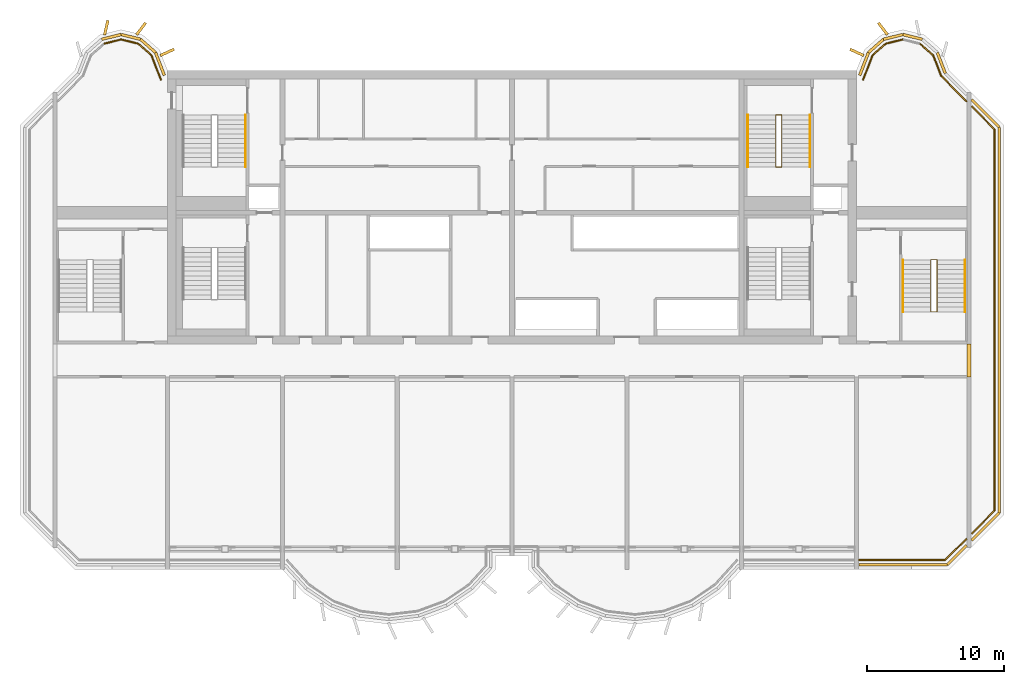
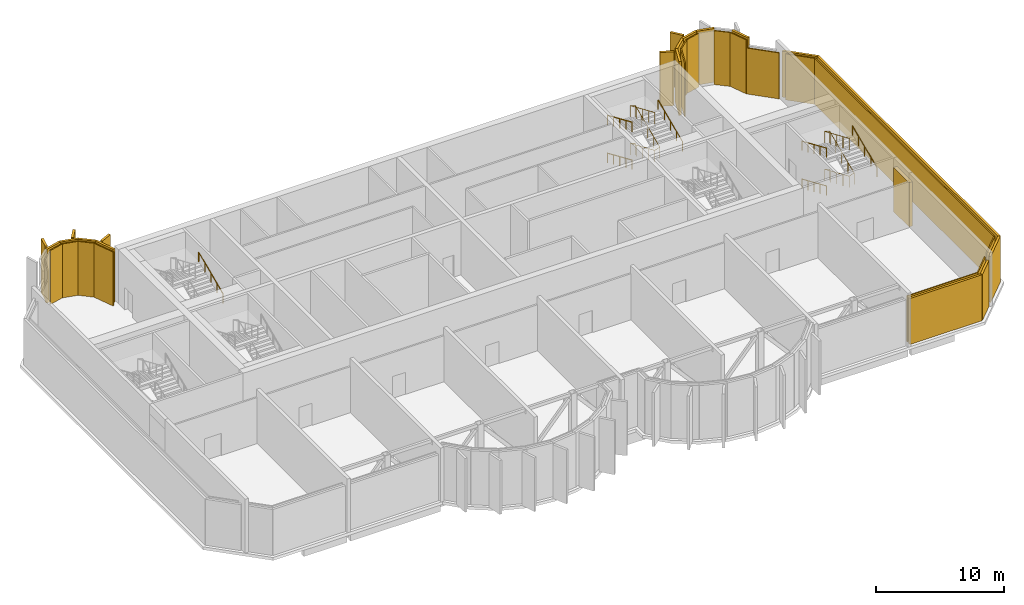
# One storey, part 10 of 11: 20 coverings, 15 shading devices, 9 railings.
"""IFC4 building model written with IfcOpenShell, lengths in metres."""

from ifc_helpers import new_model, si_unit, direction, frame, origin, origin_2d, place, context, subcontext, project, spatial, rectangle, circle, extrude, source, transform, mapped, material, layer, layer_set, material_profile, profile_set, type_object, element, save


model = new_model("IFC4")

# Units and contexts
model_context = context("Model", 3, precision=1e-05, world=origin(), true_north=direction((0.0, 1.0)))
body_context = subcontext(model_context, "Body", "Model", "MODEL_VIEW")
ifc_project = project(units=[si_unit("LENGTHUNIT", "METRE"), si_unit("AREAUNIT", "SQUARE_METRE"), si_unit("VOLUMEUNIT", "CUBIC_METRE"), si_unit("PLANEANGLEUNIT", "RADIAN"), si_unit("MASSUNIT", "GRAM", prefix="KILO")], contexts=[model_context])

# Site, building, storey
site_placement = place(None, origin())
site = spatial("IfcSite", under=ifc_project, at=site_placement, CompositionType="ELEMENT")
building_placement = place(site_placement, origin())
building = spatial("IfcBuilding", under=site, at=building_placement, Name="Vanashikhar Sky Hotel", CompositionType="ELEMENT")
storey_placement = place(building_placement, frame((0.0, 0.0, 264.699951171875)))
storey = spatial("IfcBuildingStorey", under=building, at=storey_placement, Name="L64", CompositionType="ELEMENT", Elevation=264.699951171875)

# Shading devices
ifc_material_1 = material(Name="Aluminium", Category="aluminium")
ifc_layer_1 = layer(ifc_material_1, 0.199951171875)
ifc_layer_set_1 = layer_set([ifc_layer_1], Name="Aluminium louvre band")
shading_device_type = type_object("IfcShadingDeviceType", Name="Aluminium louvre band", PredefinedType="USERDEFINED", material=ifc_layer_set_1)
shared_shape_1 = source(origin(), body_context, "Body", "SweptSolid", [
    extrude(rectangle(XDim=1.7900390625, YDim=0.199951171875, at=origin_2d()), origin(), (0.0, 0.0, 1.0), 5.1201171875),
])
for number, where, z_axis, x_axis, name in (
    (1, (76.160888671875, 42.485595703125, 0.0), (0.0, 0.0, 1.0), (-0.35776499493, -0.933811655744, 0.0), "Louvre band"),
    (2, (24.63916015625, 42.485595703125, 0.0), (0.0, 0.0, 1.0), (-0.35776499493, 0.933811655744, 0.0), "Louvre band"),
):
    element("IfcShadingDevice", number, at=place(storey_placement, frame(where, z_axis=z_axis, x_axis=x_axis)), inside=storey, type_object=shading_device_type, Name=name, ObjectType="LOUVRE", PredefinedType="USERDEFINED", context=body_context, shape_type="MappedRepresentation", body=[
        mapped(shared_shape_1, transform((0.0, 0.0, 0.0), scale=1.0)),
    ])
shared_shape_2 = source(origin(), body_context, "Body", "SweptSolid", [
    extrude(rectangle(XDim=1.464599609375, YDim=0.199951171875, at=origin_2d()), origin(), (0.0, 0.0, 1.0), 5.1201171875),
])
for number, where, z_axis, x_axis, name in (
    (3, (77.030029296875, 43.805908203125, 0.0), (0.0, 0.0, 1.0), (-0.749741606437, -0.661730703214, 0.0), "Louvre band"),
    (4, (23.77001953125, 43.805908203125, 0.0), (0.0, 0.0, 1.0), (-0.749741606437, 0.661730703214, 0.0), "Louvre band"),
):
    element("IfcShadingDevice", number, at=place(storey_placement, frame(where, z_axis=z_axis, x_axis=x_axis)), inside=storey, type_object=shading_device_type, Name=name, ObjectType="LOUVRE", PredefinedType="USERDEFINED", context=body_context, shape_type="MappedRepresentation", body=[
        mapped(shared_shape_2, transform((0.0, 0.0, 0.0), scale=1.0)),
    ])
shared_shape_3 = source(origin(), body_context, "Body", "SweptSolid", [
    extrude(rectangle(XDim=1.463134765625, YDim=0.199951171875, at=origin_2d()), origin(), (0.0, 0.0, 1.0), 5.1201171875),
])
for number, where, z_axis, x_axis, name in (
    (5, (79.71044921875, 44.465087890625, 0.0), (0.0, 0.0, 1.0), (-0.97113427991, 0.238533457579, 0.0), "Louvre band"),
    (6, (78.28955078125, 44.465087890625, 0.0), (0.0, 0.0, 1.0), (-0.97113427991, -0.238533457579, 0.0), "Louvre band"),
    (7, (22.510498046875, 44.465087890625, 0.0), (0.0, 0.0, 1.0), (-0.97113427991, 0.238533457579, 0.0), "Louvre band"),
    (8, (21.089599609375, 44.465087890625, 0.0), (0.0, 0.0, 1.0), (-0.97113427991, -0.238533457579, 0.0), "Louvre band"),
):
    element("IfcShadingDevice", number, at=place(storey_placement, frame(where, z_axis=z_axis, x_axis=x_axis)), inside=storey, type_object=shading_device_type, Name=name, ObjectType="LOUVRE", PredefinedType="USERDEFINED", context=body_context, shape_type="MappedRepresentation", body=[
        mapped(shared_shape_3, transform((0.0, 0.0, 0.0), scale=1.0)),
    ])

# Coverings
ifc_material_2 = material(Name="Concrete M40", Category="concrete")
ifc_layer_2 = layer(ifc_material_2, 0.10009765625)
ifc_layer_set_2 = layer_set([ifc_layer_2], Name="Plant floor cladding panel")
covering_type_1 = type_object("IfcCoveringType", Name="Plant floor cladding panel", PredefinedType="CLADDING", material=ifc_layer_set_2)
shared_shape_4 = source(origin(), body_context, "Body", "SweptSolid", [
    extrude(rectangle(XDim=1.944580078125, YDim=0.10009765625, at=origin_2d()), origin(), (0.0, 0.0, 1.0), 5.1201171875),
])
for number, where, z_axis, x_axis, name in (
    (9, (76.42919921875, 42.2080078125, 0.0), (0.0, 0.0, 1.0), (-0.357781292963, -0.933805411425, 0.0), "Plant floor cladding panel"),
    (10, (24.37060546875, 42.2080078125, 0.0), (0.0, 0.0, 1.0), (-0.357781292963, 0.933805411425, 0.0), "Plant floor cladding panel"),
):
    element("IfcCovering", number, at=place(storey_placement, frame(where, z_axis=z_axis, x_axis=x_axis)), inside=storey, type_object=covering_type_1, Name=name, PredefinedType="CLADDING", context=body_context, shape_type="MappedRepresentation", body=[
        mapped(shared_shape_4, transform((0.0, 0.0, 0.0), scale=1.0)),
    ])
shared_shape_5 = source(origin(), body_context, "Body", "SweptSolid", [
    extrude(rectangle(XDim=1.29248046875, YDim=0.10009765625, at=origin_2d()), origin(), (0.0, 0.0, 1.0), 5.1201171875),
])
for number, where, z_axis, x_axis, name in (
    (11, (80.73828125, 43.543701171875, 0.0), (0.0, 0.0, 1.0), (-0.749683856685, 0.661796127993, 0.0), "Plant floor cladding panel"),
    (12, (77.26171875, 43.543701171875, 0.0), (0.0, 0.0, 1.0), (-0.749683856685, -0.661796127993, 0.0), "Plant floor cladding panel"),
    (13, (23.538330078125, 43.543701171875, 0.0), (0.0, 0.0, 1.0), (-0.749683856685, 0.661796127993, 0.0), "Plant floor cladding panel"),
):
    element("IfcCovering", number, at=place(storey_placement, frame(where, z_axis=z_axis, x_axis=x_axis)), inside=storey, type_object=covering_type_1, Name=name, PredefinedType="CLADDING", context=body_context, shape_type="MappedRepresentation", body=[
        mapped(shared_shape_5, transform((0.0, 0.0, 0.0), scale=1.0)),
    ])
shared_shape_6 = source(origin(), body_context, "Body", "SweptSolid", [
    extrude(rectangle(XDim=1.291015625, YDim=0.10009765625, at=origin_2d()), origin(), (0.0, 0.0, 1.0), 5.1201171875),
])
for number, where, z_axis, x_axis, name in (
    (14, (78.373046875, 44.125244140625, 0.0), (0.0, 0.0, 1.0), (-0.97115093032, -0.238465659035, 0.0), "Plant floor cladding panel"),
    (15, (22.427001953125, 44.125244140625, 0.0), (0.0, 0.0, 1.0), (-0.97115093032, 0.238465659035, 0.0), "Plant floor cladding panel"),
    (16, (21.173095703125, 44.125244140625, 0.0), (0.0, 0.0, 1.0), (-0.97115093032, -0.238465659035, 0.0), "Plant floor cladding panel"),
):
    element("IfcCovering", number, at=place(storey_placement, frame(where, z_axis=z_axis, x_axis=x_axis)), inside=storey, type_object=covering_type_1, Name=name, PredefinedType="CLADDING", context=body_context, shape_type="MappedRepresentation", body=[
        mapped(shared_shape_6, transform((0.0, 0.0, 0.0), scale=1.0)),
    ])
ifc_material_3 = material(Name="Concrete M60 dark", Category="concrete")
ifc_material_profile = material_profile(ifc_material_3, rectangle(XDim=1.10009765625, YDim=0.199951171875, at=origin_2d()))
ifc_profile_set = profile_set([ifc_material_profile], Name="Rear lobe fin 1100 x 200")
covering_type_2 = type_object("IfcCoveringType", Name="Rear lobe fin 1100 x 200", PredefinedType="CLADDING", material=ifc_profile_set)
shared_shape_7 = source(origin(), body_context, "Body", "SweptSolid", [
    extrude(rectangle(XDim=1.10009765625, YDim=0.199951171875, at=origin_2d()), origin(), (0.0, 0.0, 1.0), 5.1201171875),
])
for number, where, z_axis, x_axis, name in (
    (17, (20.710205078125, 45.1455078125, 0.0), (0.0, 0.0, 1.0), (0.224644935864, 0.974440687159, 0.0), "Fin R1-2"),
    (18, (23.261962890625, 45.06640625, 0.0), (0.0, 0.0, 1.0), (0.602065892195, 0.798446404874, 0.0), "Fin R1-3"),
    (19, (25.169677734375, 43.33447265625, 0.0), (0.0, 0.0, 1.0), (0.908004291068, 0.418960866193, 0.0), "Fin R1-4"),
    (20, (75.63037109375, 43.33447265625, 0.0), (0.0, 0.0, 1.0), (-0.908004291068, 0.418960866193, 0.0), "Fin R2-1"),
    (21, (77.5380859375, 45.06640625, 0.0), (0.0, 0.0, 1.0), (-0.602065892195, 0.798446404874, 0.0), "Fin R2-2"),
):
    element("IfcCovering", number, at=place(storey_placement, frame(where, z_axis=z_axis, x_axis=x_axis)), inside=storey, type_object=covering_type_2, Name=name, PredefinedType="CLADDING", context=body_context, shape_type="MappedRepresentation", body=[
        mapped(shared_shape_7, transform((0.0, 0.0, 0.0), scale=1.0)),
    ])

# Shading devices
shared_shape_8 = source(origin(), body_context, "Body", "SweptSolid", [
    extrude(rectangle(XDim=0.300048828125, YDim=2.39990234375, at=origin_2d()), origin(), (0.0, 0.0, 1.0), 4.219970703125),
])
shading_device_1_placement = place(storey_placement, frame((83.85009765625, 20.800048828125, 0.0), z_axis=(0.0, 0.0, 1.0), x_axis=(1.0, 0.0, 0.0)))
element("IfcShadingDevice", 22, at=shading_device_1_placement, inside=storey, type_object=shading_device_type, Name="Louvre band", ObjectType="LOUVRE", PredefinedType="USERDEFINED", context=body_context, shape_type="MappedRepresentation", body=[
    mapped(shared_shape_8, transform((0.0, 0.0, 0.0), scale=1.0)),
])
shared_shape_9 = source(origin(), body_context, "Body", "SweptSolid", [
    extrude(rectangle(XDim=6.47509765625, YDim=0.199951171875, at=origin_2d()), origin(), (0.0, 0.0, 1.0), 4.3701171875),
])
shading_device_2_placement = place(storey_placement, frame((79.017578125, 5.85009765625, 0.0), z_axis=(0.0, 0.0, 1.0), x_axis=(1.0, 0.0, 0.0)))
element("IfcShadingDevice", 23, at=shading_device_2_placement, inside=storey, type_object=shading_device_type, Name="Louvre band", ObjectType="LOUVRE", PredefinedType="USERDEFINED", context=body_context, shape_type="MappedRepresentation", body=[
    mapped(shared_shape_9, transform((0.0, 0.0, 0.0), scale=1.0)),
])
shared_shape_10 = source(origin(), body_context, "Body", "SweptSolid", [
    extrude(rectangle(XDim=2.001220703125, YDim=0.199951171875, at=origin_2d()), origin(), (0.0, 0.0, 1.0), 4.3701171875),
])
shading_device_3_placement = place(storey_placement, frame((82.96240234375, 6.5576171875, 0.0), z_axis=(0.0, 0.0, 1.0), x_axis=(0.707106781187, 0.707106781187, 0.0)))
element("IfcShadingDevice", 24, at=shading_device_3_placement, inside=storey, type_object=shading_device_type, Name="Louvre band", ObjectType="LOUVRE", PredefinedType="USERDEFINED", context=body_context, shape_type="MappedRepresentation", body=[
    mapped(shared_shape_10, transform((0.0, 0.0, 0.0), scale=1.0)),
])
shared_shape_11 = source(origin(), body_context, "Body", "SweptSolid", [
    extrude(rectangle(XDim=2.856689453125, YDim=0.199951171875, at=origin_2d()), origin(), (0.0, 0.0, 1.0), 4.3701171875),
])
for number, where, z_axis, x_axis, name in (
    (25, (85.0400390625, 8.635009765625, 0.0), (0.0, 0.0, 1.0), (0.707106781187, 0.707106781187, 0.0), "Louvre band"),
    (26, (85.0400390625, 38.864990234375, 0.0), (0.0, 0.0, 1.0), (-0.707106781187, 0.707106781187, 0.0), "Louvre band"),
):
    element("IfcShadingDevice", number, at=place(storey_placement, frame(where, z_axis=z_axis, x_axis=x_axis)), inside=storey, type_object=shading_device_type, Name=name, ObjectType="LOUVRE", PredefinedType="USERDEFINED", context=body_context, shape_type="MappedRepresentation", body=[
        mapped(shared_shape_11, transform((0.0, 0.0, 0.0), scale=1.0)),
    ])
shared_shape_12 = source(origin(), body_context, "Body", "SweptSolid", [
    extrude(rectangle(XDim=28.2099609375, YDim=0.199951171875, at=origin_2d()), origin(), (0.0, 0.0, 1.0), 4.3701171875),
])
shading_device_4_placement = place(storey_placement, frame((86.050048828125, 23.75, 0.0), z_axis=(0.0, 0.0, 1.0), x_axis=(0.0, 1.0, 0.0)))
element("IfcShadingDevice", 27, at=shading_device_4_placement, inside=storey, type_object=shading_device_type, Name="Louvre band", ObjectType="LOUVRE", PredefinedType="USERDEFINED", context=body_context, shape_type="MappedRepresentation", body=[
    mapped(shared_shape_12, transform((0.0, 0.0, 0.0), scale=1.0)),
])
shared_shape_13 = source(origin(), body_context, "Body", "SweptSolid", [
    extrude(rectangle(XDim=1.623779296875, YDim=0.199951171875, at=origin_2d()), origin(), (0.0, 0.0, 1.0), 5.1201171875),
])
shading_device_5_placement = place(storey_placement, frame((81.809326171875, 42.563232421875, 0.0), z_axis=(0.0, 0.0, 1.0), x_axis=(-0.357748696787, 0.933817899779, 0.0)))
element("IfcShadingDevice", 28, at=shading_device_5_placement, inside=storey, type_object=shading_device_type, Name="Louvre band", ObjectType="LOUVRE", PredefinedType="USERDEFINED", context=body_context, shape_type="MappedRepresentation", body=[
    mapped(shared_shape_13, transform((0.0, 0.0, 0.0), scale=1.0)),
])

# Coverings
shared_shape_14 = source(origin(), body_context, "Body", "SweptSolid", [
    extrude(rectangle(XDim=6.330078125, YDim=0.10009765625, at=origin_2d()), origin(), (0.0, 0.0, 1.0), 4.3701171875),
])
covering_1_placement = place(storey_placement, frame((78.945068359375, 6.199951171875, 0.0), z_axis=(0.0, 0.0, 1.0), x_axis=(1.0, 0.0, 0.0)))
element("IfcCovering", 29, at=covering_1_placement, inside=storey, type_object=covering_type_1, Name="Plant floor cladding panel", PredefinedType="CLADDING", context=body_context, shape_type="MappedRepresentation", body=[
    mapped(shared_shape_14, transform((0.0, 0.0, 0.0), scale=1.0)),
])
shared_shape_15 = source(origin(), body_context, "Body", "SweptSolid", [
    extrude(rectangle(XDim=2.2060546875, YDim=0.10009765625, at=origin_2d()), origin(), (0.0, 0.0, 1.0), 4.3701171875),
])
covering_2_placement = place(storey_placement, frame((82.89013671875, 6.97998046875, 0.0), z_axis=(0.0, 0.0, 1.0), x_axis=(0.707106781187, 0.707106781187, 0.0)))
element("IfcCovering", 30, at=covering_2_placement, inside=storey, type_object=covering_type_1, Name="Plant floor cladding panel", PredefinedType="CLADDING", context=body_context, shape_type="MappedRepresentation", body=[
    mapped(shared_shape_15, transform((0.0, 0.0, 0.0), scale=1.0)),
])
shared_shape_16 = source(origin(), body_context, "Body", "SweptSolid", [
    extrude(rectangle(XDim=2.36181640625, YDim=0.10009765625, at=origin_2d()), origin(), (0.0, 0.0, 1.0), 4.3701171875),
])
for number, where, z_axis, x_axis, name in (
    (31, (84.864990234375, 8.954833984375, 0.0), (0.0, 0.0, 1.0), (0.707106781187, 0.707106781187, 0.0), "Plant floor cladding panel"),
    (32, (84.864990234375, 38.545166015625, 0.0), (0.0, 0.0, 1.0), (-0.70711912242, 0.707094439737, 0.0), "Plant floor cladding panel"),
):
    element("IfcCovering", number, at=place(storey_placement, frame(where, z_axis=z_axis, x_axis=x_axis)), inside=storey, type_object=covering_type_1, Name=name, PredefinedType="CLADDING", context=body_context, shape_type="MappedRepresentation", body=[
        mapped(shared_shape_16, transform((0.0, 0.0, 0.0), scale=1.0)),
    ])
shared_shape_17 = source(origin(), body_context, "Body", "SweptSolid", [
    extrude(rectangle(XDim=27.920166015625, YDim=0.10009765625, at=origin_2d()), origin(), (0.0, 0.0, 1.0), 4.3701171875),
])
covering_3_placement = place(storey_placement, frame((85.699951171875, 23.75, 0.0), z_axis=(0.0, 0.0, 1.0), x_axis=(0.0, 1.0, 0.0)))
element("IfcCovering", 33, at=covering_3_placement, inside=storey, type_object=covering_type_1, Name="Plant floor cladding panel", PredefinedType="CLADDING", context=body_context, shape_type="MappedRepresentation", body=[
    mapped(shared_shape_17, transform((0.0, 0.0, 0.0), scale=1.0)),
])
shared_shape_18 = source(origin(), body_context, "Body", "SweptSolid", [
    extrude(rectangle(XDim=2.64501953125, YDim=0.10009765625, at=origin_2d()), origin(), (0.0, 0.0, 1.0), 4.3701171875),
])
covering_4_placement = place(storey_placement, frame((82.73486328125, 40.67529296875, 0.0), z_axis=(0.0, 0.0, 1.0), x_axis=(-0.70711912242, 0.707094439737, 0.0)))
element("IfcCovering", 34, at=covering_4_placement, inside=storey, type_object=covering_type_1, Name="Plant floor cladding panel", PredefinedType="CLADDING", context=body_context, shape_type="MappedRepresentation", body=[
    mapped(shared_shape_18, transform((0.0, 0.0, 0.0), scale=1.0)),
])
shared_shape_19 = source(origin(), body_context, "Body", "SweptSolid", [
    extrude(rectangle(XDim=1.6123046875, YDim=0.10009765625, at=origin_2d()), origin(), (0.0, 0.0, 1.0), 5.1201171875),
])
covering_5_placement = place(storey_placement, frame((81.51123046875, 42.36328125, 0.0), z_axis=(0.0, 0.0, 1.0), x_axis=(-0.357748696787, 0.933817899779, 0.0)))
element("IfcCovering", 35, at=covering_5_placement, inside=storey, type_object=covering_type_1, Name="Plant floor cladding panel", PredefinedType="CLADDING", context=body_context, shape_type="MappedRepresentation", body=[
    mapped(shared_shape_19, transform((0.0, 0.0, 0.0), scale=1.0)),
])

# Railings
ifc_material_4 = material(Name="Steel S355", Category="steel")
railing_type_1 = type_object("IfcRailingType", Name="Stair handrail 900", PredefinedType="HANDRAIL", material=ifc_material_4)
shared_shape_20 = source(origin(), body_context, "Body", "SweptSolid", [
    extrude(circle(Radius=0.02392578125, at=origin_2d()), frame((0.0, 0.0, 0.8759765625), z_axis=(0.0, -0.917250781605, 0.398310185215), x_axis=(1.0, 0.0, 0.0)), (0.0, 0.0, 1.0), 4.142822265625),
    extrude(circle(Radius=0.02099609375, at=origin_2d()), origin(), (0.0, 0.0, 1.0), 0.851806640625),
    extrude(circle(Radius=0.02099609375, at=origin_2d()), frame((0.0, -0.949951171875, 0.41259765625)), (0.0, 0.0, 1.0), 0.851806640625),
    extrude(circle(Radius=0.02099609375, at=origin_2d()), frame((0.0, -1.89990234375, 0.8251953125)), (0.0, 0.0, 1.0), 0.851806640625),
    extrude(circle(Radius=0.02099609375, at=origin_2d()), frame((0.0, -2.85009765625, 1.237548828125)), (0.0, 0.0, 1.0), 0.851806640625),
    extrude(circle(Radius=0.02099609375, at=origin_2d()), frame((0.0, -3.800048828125, 1.650146484375)), (0.0, 0.0, 1.0), 0.851806640625),
])
railing_1_placement = place(storey_placement, frame((67.64990234375, 38.75, 3.75)))
element("IfcRailing", 36, at=railing_1_placement, inside=storey, type_object=railing_type_1, Name="Exit stair 6 handrail", PredefinedType="HANDRAIL", context=body_context, shape_type="MappedRepresentation", body=[
    mapped(shared_shape_20, transform((0.0, 0.0, 0.0), scale=1.0)),
])
shared_shape_21 = source(origin(), body_context, "Body", "SweptSolid", [
    extrude(circle(Radius=0.02392578125, at=origin_2d()), frame((0.0, 0.0, 0.8759765625), z_axis=(0.0, 0.917250781605, 0.398310185215), x_axis=(-1.0, 0.0, 0.0)), (0.0, 0.0, 1.0), 4.142822265625),
    extrude(circle(Radius=0.02099609375, at=origin_2d()), origin(), (0.0, 0.0, 1.0), 0.851806640625),
    extrude(circle(Radius=0.02099609375, at=origin_2d()), frame((0.0, 0.949951171875, 0.41259765625)), (0.0, 0.0, 1.0), 0.851806640625),
    extrude(circle(Radius=0.02099609375, at=origin_2d()), frame((0.0, 1.89990234375, 0.8251953125)), (0.0, 0.0, 1.0), 0.851806640625),
    extrude(circle(Radius=0.02099609375, at=origin_2d()), frame((0.0, 2.85009765625, 1.237548828125)), (0.0, 0.0, 1.0), 0.851806640625),
    extrude(circle(Radius=0.02099609375, at=origin_2d()), frame((0.0, 3.800048828125, 1.650146484375)), (0.0, 0.0, 1.0), 0.851806640625),
])
for number, where, name in (
    (37, (30.89990234375, 34.949951171875, 1.949951171875), "Exit stair 5 handrail"),
    (38, (72.199951171875, 34.949951171875, 1.949951171875), "Exit stair 6 handrail"),
):
    element("IfcRailing", number, at=place(storey_placement, frame(where)), inside=storey, type_object=railing_type_1, Name=name, PredefinedType="HANDRAIL", context=body_context, shape_type="MappedRepresentation", body=[
        mapped(shared_shape_21, transform((0.0, 0.0, 0.0), scale=1.0)),
    ])
shared_shape_22 = source(origin(), body_context, "Body", "SweptSolid", [
    extrude(circle(Radius=0.02392578125, at=origin_2d()), frame((0.0, 0.0, 0.8759765625), z_axis=(0.0, -0.91727231099, 0.398260602484), x_axis=(1.0, 0.0, 0.0)), (0.0, 0.0, 1.0), 4.142822265625),
    extrude(circle(Radius=0.02099609375, at=origin_2d()), origin(), (0.0, 0.0, 1.0), 0.851806640625),
    extrude(circle(Radius=0.02099609375, at=origin_2d()), frame((0.0, -0.949951171875, 0.41259765625)), (0.0, 0.0, 1.0), 0.851806640625),
    extrude(circle(Radius=0.02099609375, at=origin_2d()), frame((0.0, -1.89990234375, 0.824951171875)), (0.0, 0.0, 1.0), 0.851806640625),
    extrude(circle(Radius=0.02099609375, at=origin_2d()), frame((0.0, -2.85009765625, 1.2373046875)), (0.0, 0.0, 1.0), 0.851806640625),
    extrude(circle(Radius=0.02099609375, at=origin_2d()), frame((0.0, -3.800048828125, 1.64990234375)), (0.0, 0.0, 1.0), 0.851806640625),
])
railing_2_placement = place(storey_placement, frame((67.64990234375, 38.75, 0.150146484375)))
element("IfcRailing", 39, at=railing_2_placement, inside=storey, type_object=railing_type_1, Name="Exit stair 6 handrail", PredefinedType="HANDRAIL", context=body_context, shape_type="MappedRepresentation", body=[
    mapped(shared_shape_22, transform((0.0, 0.0, 0.0), scale=1.0)),
])
railing_type_2 = type_object("IfcRailingType", Name="Stair guard 1100", PredefinedType="GUARDRAIL", material=ifc_material_4)
shared_shape_23 = source(origin(), body_context, "Body", "SweptSolid", [
    extrude(circle(Radius=0.02392578125, at=origin_2d()), frame((0.0, 0.0, 1.076171875), z_axis=(-0.948580309067, 0.0, 0.316536565424), x_axis=(0.0, -1.0, 0.0)), (0.0, 0.0, 1.0), 0.474365234375),
    extrude(circle(Radius=0.02392578125, at=origin_2d()), frame((-0.449951171875, 0.0, 1.22607421875), z_axis=(0.0, -0.91727231099, 0.398260602484), x_axis=(1.0, 0.0, 0.0)), (0.0, 0.0, 1.0), 4.142822265625),
    extrude(circle(Radius=0.02392578125, at=origin_2d()), frame((-0.449951171875, -3.800048828125, 2.8759765625), z_axis=(0.948734763221, 0.0, 0.316073328604), x_axis=(0.0, 1.0, 0.0)), (0.0, 0.0, 1.0), 0.474365234375),
    extrude(circle(Radius=0.02392578125, at=origin_2d()), frame((0.0, -3.800048828125, 3.02587890625), z_axis=(0.0, 0.917250781605, 0.398310185215), x_axis=(-1.0, 0.0, 0.0)), (0.0, 0.0, 1.0), 4.142822265625),
    extrude(circle(Radius=0.02392578125, at=origin_2d()), frame((0.0, 0.0, 4.67626953125), z_axis=(-0.948734763221, 0.0, 0.316073328604), x_axis=(0.0, -1.0, 0.0)), (0.0, 0.0, 1.0), 0.474365234375),
    extrude(circle(Radius=0.02392578125, at=origin_2d()), frame((-0.449951171875, 0.0, 4.826171875), z_axis=(0.0, -0.917250781605, 0.398310185215), x_axis=(1.0, 0.0, 0.0)), (0.0, 0.0, 1.0), 4.142822265625),
    extrude(circle(Radius=0.02099609375, at=origin_2d()), origin(), (0.0, 0.0, 1.0), 1.052001953125),
    extrude(circle(Radius=0.02099609375, at=origin_2d()), frame((-0.449951171875, 0.0, 0.150146484375)), (0.0, 0.0, 1.0), 1.052001953125),
    extrude(circle(Radius=0.02099609375, at=origin_2d()), frame((-0.449951171875, -0.949951171875, 0.5625)), (0.0, 0.0, 1.0), 1.052001953125),
    extrude(circle(Radius=0.02099609375, at=origin_2d()), frame((-0.449951171875, -1.89990234375, 0.97509765625)), (0.0, 0.0, 1.0), 1.052001953125),
    extrude(circle(Radius=0.02099609375, at=origin_2d()), frame((-0.449951171875, -2.85009765625, 1.3876953125)), (0.0, 0.0, 1.0), 1.052001953125),
    extrude(circle(Radius=0.02099609375, at=origin_2d()), frame((-0.449951171875, -3.800048828125, 1.800048828125)), (0.0, 0.0, 1.0), 1.052001953125),
    extrude(circle(Radius=0.02099609375, at=origin_2d()), frame((0.0, -3.800048828125, 1.949951171875)), (0.0, 0.0, 1.0), 1.052001953125),
    extrude(circle(Radius=0.02099609375, at=origin_2d()), frame((0.0, -2.85009765625, 2.362548828125)), (0.0, 0.0, 1.0), 1.052001953125),
    extrude(circle(Radius=0.02099609375, at=origin_2d()), frame((0.0, -1.89990234375, 2.77490234375)), (0.0, 0.0, 1.0), 1.052001953125),
    extrude(circle(Radius=0.02099609375, at=origin_2d()), frame((0.0, -0.949951171875, 3.1875)), (0.0, 0.0, 1.0), 1.052001953125),
    extrude(circle(Radius=0.02099609375, at=origin_2d()), frame((0.0, 0.0, 3.60009765625)), (0.0, 0.0, 1.0), 1.052001953125),
    extrude(circle(Radius=0.02099609375, at=origin_2d()), frame((-0.449951171875, 0.0, 3.75)), (0.0, 0.0, 1.0), 1.052001953125),
    extrude(circle(Radius=0.02099609375, at=origin_2d()), frame((-0.449951171875, -0.949951171875, 4.16259765625)), (0.0, 0.0, 1.0), 1.052001953125),
    extrude(circle(Radius=0.02099609375, at=origin_2d()), frame((-0.449951171875, -1.89990234375, 4.5751953125)), (0.0, 0.0, 1.0), 1.052001953125),
    extrude(circle(Radius=0.02099609375, at=origin_2d()), frame((-0.449951171875, -2.85009765625, 4.987548828125)), (0.0, 0.0, 1.0), 1.052001953125),
    extrude(circle(Radius=0.02099609375, at=origin_2d()), frame((-0.449951171875, -3.800048828125, 5.400146484375)), (0.0, 0.0, 1.0), 1.052001953125),
])
railing_3_placement = place(storey_placement, frame((70.14990234375, 38.75, 0.0)))
element("IfcRailing", 40, at=railing_3_placement, inside=storey, type_object=railing_type_2, Name="Exit stair 6 guard", PredefinedType="GUARDRAIL", context=body_context, shape_type="MappedRepresentation", body=[
    mapped(shared_shape_23, transform((0.0, 0.0, 0.0), scale=1.0)),
])
shared_shape_24 = source(origin(), body_context, "Body", "SweptSolid", [
    extrude(circle(Radius=0.02392578125, at=origin_2d()), frame((0.0, 0.0, 0.8759765625), z_axis=(0.0, -0.917241431489, 0.398331716489), x_axis=(1.0, 0.0, 0.0)), (0.0, 0.0, 1.0), 4.142578125),
    extrude(circle(Radius=0.02099609375, at=origin_2d()), origin(), (0.0, 0.0, 1.0), 0.851806640625),
    extrude(circle(Radius=0.02099609375, at=origin_2d()), frame((0.0, -0.949951171875, 0.41259765625)), (0.0, 0.0, 1.0), 0.851806640625),
    extrude(circle(Radius=0.02099609375, at=origin_2d()), frame((0.0, -1.89990234375, 0.8251953125)), (0.0, 0.0, 1.0), 0.851806640625),
    extrude(circle(Radius=0.02099609375, at=origin_2d()), frame((0.0, -2.849853515625, 1.237548828125)), (0.0, 0.0, 1.0), 0.851806640625),
    extrude(circle(Radius=0.02099609375, at=origin_2d()), frame((0.0, -3.7998046875, 1.650146484375)), (0.0, 0.0, 1.0), 0.851806640625),
])
railing_4_placement = place(storey_placement, frame((79.0, 28.14990234375, 3.75)))
element("IfcRailing", 41, at=railing_4_placement, inside=storey, type_object=railing_type_1, Name="Exit stair 4 handrail", PredefinedType="HANDRAIL", context=body_context, shape_type="MappedRepresentation", body=[
    mapped(shared_shape_24, transform((0.0, 0.0, 0.0), scale=1.0)),
])
shared_shape_25 = source(origin(), body_context, "Body", "SweptSolid", [
    extrude(circle(Radius=0.02392578125, at=origin_2d()), frame((0.0, 0.0, 0.8759765625), z_axis=(0.0, 0.917241431489, 0.398331716489), x_axis=(-1.0, 0.0, 0.0)), (0.0, 0.0, 1.0), 4.142578125),
    extrude(circle(Radius=0.02099609375, at=origin_2d()), origin(), (0.0, 0.0, 1.0), 0.851806640625),
    extrude(circle(Radius=0.02099609375, at=origin_2d()), frame((0.0, 0.949951171875, 0.41259765625)), (0.0, 0.0, 1.0), 0.851806640625),
    extrude(circle(Radius=0.02099609375, at=origin_2d()), frame((0.0, 1.89990234375, 0.8251953125)), (0.0, 0.0, 1.0), 0.851806640625),
    extrude(circle(Radius=0.02099609375, at=origin_2d()), frame((0.0, 2.849853515625, 1.237548828125)), (0.0, 0.0, 1.0), 0.851806640625),
    extrude(circle(Radius=0.02099609375, at=origin_2d()), frame((0.0, 3.7998046875, 1.650146484375)), (0.0, 0.0, 1.0), 0.851806640625),
])
railing_5_placement = place(storey_placement, frame((83.550048828125, 24.35009765625, 1.949951171875)))
element("IfcRailing", 42, at=railing_5_placement, inside=storey, type_object=railing_type_1, Name="Exit stair 4 handrail", PredefinedType="HANDRAIL", context=body_context, shape_type="MappedRepresentation", body=[
    mapped(shared_shape_25, transform((0.0, 0.0, 0.0), scale=1.0)),
])
shared_shape_26 = source(origin(), body_context, "Body", "SweptSolid", [
    extrude(circle(Radius=0.02392578125, at=origin_2d()), frame((0.0, 0.0, 0.8759765625), z_axis=(0.0, -0.917262962982, 0.398282132089), x_axis=(1.0, 0.0, 0.0)), (0.0, 0.0, 1.0), 4.142578125),
    extrude(circle(Radius=0.02099609375, at=origin_2d()), origin(), (0.0, 0.0, 1.0), 0.851806640625),
    extrude(circle(Radius=0.02099609375, at=origin_2d()), frame((0.0, -0.949951171875, 0.41259765625)), (0.0, 0.0, 1.0), 0.851806640625),
    extrude(circle(Radius=0.02099609375, at=origin_2d()), frame((0.0, -1.89990234375, 0.824951171875)), (0.0, 0.0, 1.0), 0.851806640625),
    extrude(circle(Radius=0.02099609375, at=origin_2d()), frame((0.0, -2.849853515625, 1.2373046875)), (0.0, 0.0, 1.0), 0.851806640625),
    extrude(circle(Radius=0.02099609375, at=origin_2d()), frame((0.0, -3.7998046875, 1.64990234375)), (0.0, 0.0, 1.0), 0.851806640625),
])
railing_6_placement = place(storey_placement, frame((79.0, 28.14990234375, 0.150146484375)))
element("IfcRailing", 43, at=railing_6_placement, inside=storey, type_object=railing_type_1, Name="Exit stair 4 handrail", PredefinedType="HANDRAIL", context=body_context, shape_type="MappedRepresentation", body=[
    mapped(shared_shape_26, transform((0.0, 0.0, 0.0), scale=1.0)),
])
shared_shape_27 = source(origin(), body_context, "Body", "SweptSolid", [
    extrude(circle(Radius=0.02392578125, at=origin_2d()), frame((0.0, 0.0, 1.076171875), z_axis=(-0.948580309067, 0.0, 0.316536565424), x_axis=(0.0, -1.0, 0.0)), (0.0, 0.0, 1.0), 0.474365234375),
    extrude(circle(Radius=0.02392578125, at=origin_2d()), frame((-0.449951171875, 0.0, 1.22607421875), z_axis=(0.0, -0.917262962982, 0.398282132089), x_axis=(1.0, 0.0, 0.0)), (0.0, 0.0, 1.0), 4.142578125),
    extrude(circle(Radius=0.02392578125, at=origin_2d()), frame((-0.449951171875, -3.7998046875, 2.8759765625), z_axis=(0.948734763221, 0.0, 0.316073328604), x_axis=(0.0, 1.0, 0.0)), (0.0, 0.0, 1.0), 0.474365234375),
    extrude(circle(Radius=0.02392578125, at=origin_2d()), frame((0.0, -3.7998046875, 3.02587890625), z_axis=(0.0, 0.917241431489, 0.398331716489), x_axis=(-1.0, 0.0, 0.0)), (0.0, 0.0, 1.0), 4.142578125),
    extrude(circle(Radius=0.02392578125, at=origin_2d()), frame((0.0, 0.0, 4.67626953125), z_axis=(-0.948734763221, 0.0, 0.316073328604), x_axis=(0.0, -1.0, 0.0)), (0.0, 0.0, 1.0), 0.474365234375),
    extrude(circle(Radius=0.02392578125, at=origin_2d()), frame((-0.449951171875, 0.0, 4.826171875), z_axis=(0.0, -0.917241431489, 0.398331716489), x_axis=(1.0, 0.0, 0.0)), (0.0, 0.0, 1.0), 4.142578125),
    extrude(circle(Radius=0.02099609375, at=origin_2d()), origin(), (0.0, 0.0, 1.0), 1.052001953125),
    extrude(circle(Radius=0.02099609375, at=origin_2d()), frame((-0.449951171875, 0.0, 0.150146484375)), (0.0, 0.0, 1.0), 1.052001953125),
    extrude(circle(Radius=0.02099609375, at=origin_2d()), frame((-0.449951171875, -0.949951171875, 0.5625)), (0.0, 0.0, 1.0), 1.052001953125),
    extrude(circle(Radius=0.02099609375, at=origin_2d()), frame((-0.449951171875, -1.89990234375, 0.97509765625)), (0.0, 0.0, 1.0), 1.052001953125),
    extrude(circle(Radius=0.02099609375, at=origin_2d()), frame((-0.449951171875, -2.849853515625, 1.3876953125)), (0.0, 0.0, 1.0), 1.052001953125),
    extrude(circle(Radius=0.02099609375, at=origin_2d()), frame((-0.449951171875, -3.7998046875, 1.800048828125)), (0.0, 0.0, 1.0), 1.052001953125),
    extrude(circle(Radius=0.02099609375, at=origin_2d()), frame((0.0, -3.7998046875, 1.949951171875)), (0.0, 0.0, 1.0), 1.052001953125),
    extrude(circle(Radius=0.02099609375, at=origin_2d()), frame((0.0, -2.849853515625, 2.362548828125)), (0.0, 0.0, 1.0), 1.052001953125),
    extrude(circle(Radius=0.02099609375, at=origin_2d()), frame((0.0, -1.89990234375, 2.77490234375)), (0.0, 0.0, 1.0), 1.052001953125),
    extrude(circle(Radius=0.02099609375, at=origin_2d()), frame((0.0, -0.949951171875, 3.1875)), (0.0, 0.0, 1.0), 1.052001953125),
    extrude(circle(Radius=0.02099609375, at=origin_2d()), frame((0.0, 0.0, 3.60009765625)), (0.0, 0.0, 1.0), 1.052001953125),
    extrude(circle(Radius=0.02099609375, at=origin_2d()), frame((-0.449951171875, 0.0, 3.75)), (0.0, 0.0, 1.0), 1.052001953125),
    extrude(circle(Radius=0.02099609375, at=origin_2d()), frame((-0.449951171875, -0.949951171875, 4.16259765625)), (0.0, 0.0, 1.0), 1.052001953125),
    extrude(circle(Radius=0.02099609375, at=origin_2d()), frame((-0.449951171875, -1.89990234375, 4.5751953125)), (0.0, 0.0, 1.0), 1.052001953125),
    extrude(circle(Radius=0.02099609375, at=origin_2d()), frame((-0.449951171875, -2.849853515625, 4.987548828125)), (0.0, 0.0, 1.0), 1.052001953125),
    extrude(circle(Radius=0.02099609375, at=origin_2d()), frame((-0.449951171875, -3.7998046875, 5.400146484375)), (0.0, 0.0, 1.0), 1.052001953125),
])
railing_7_placement = place(storey_placement, frame((81.5, 28.14990234375, 0.0)))
element("IfcRailing", 44, at=railing_7_placement, inside=storey, type_object=railing_type_2, Name="Exit stair 4 guard", PredefinedType="GUARDRAIL", context=body_context, shape_type="MappedRepresentation", body=[
    mapped(shared_shape_27, transform((0.0, 0.0, 0.0), scale=1.0)),
])

save(model, "model.ifc")
